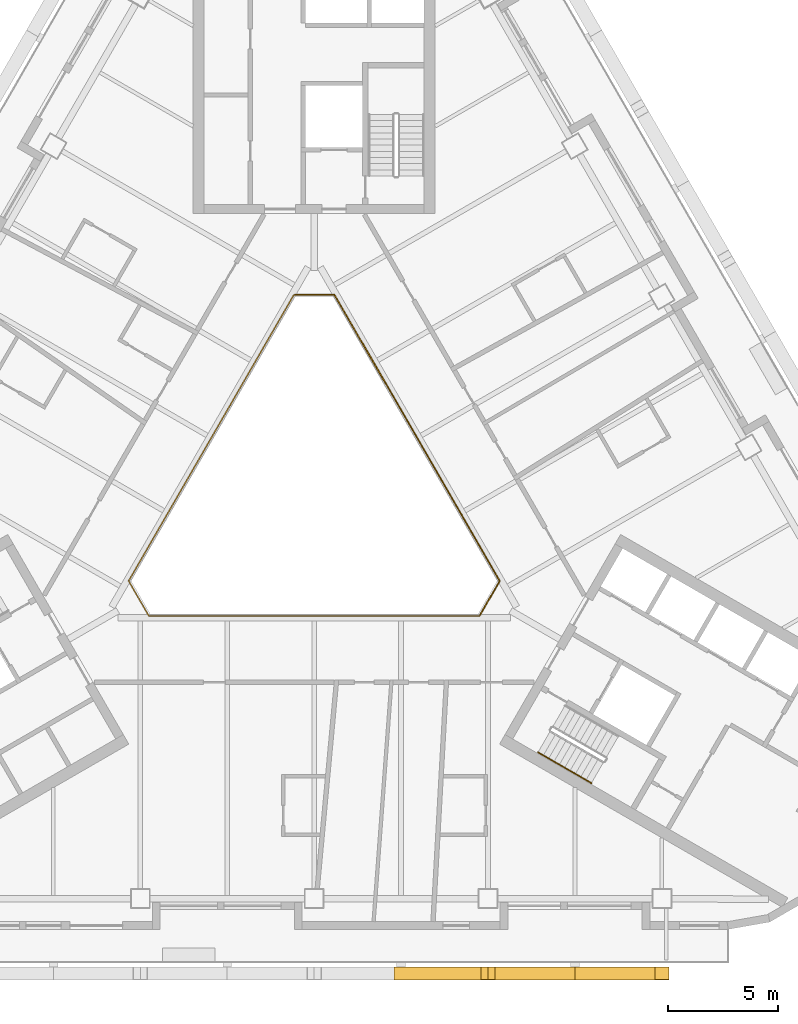
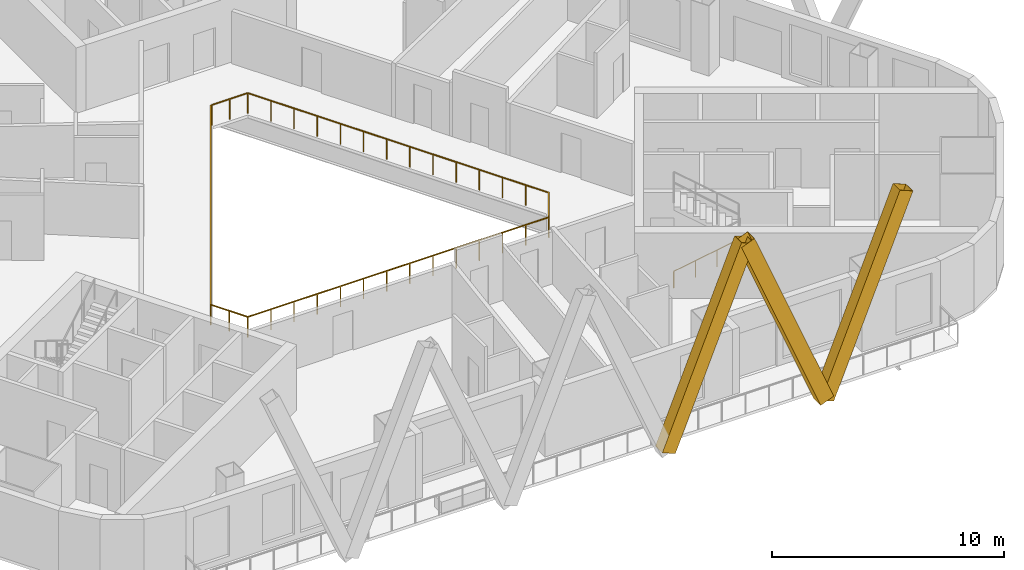
# One storey, part 10 of 13: 3 railings, 3 shading devices.
"""IFC4 building model written with IfcOpenShell, lengths in metres."""

from ifc_helpers import new_model, si_unit, direction, frame, origin, origin_2d, place, context, subcontext, project, spatial, rectangle, hollow_rectangle, circle, extrude, material, material_profile, profile_set, type_object, element, save


model = new_model("IFC4")

# Units and contexts
model_context = context("Model", 3, precision=1e-05, world=origin(), true_north=direction((0.0, 1.0)))
body_context = subcontext(model_context, "Body", "Model", "MODEL_VIEW")
ifc_project = project(units=[si_unit("LENGTHUNIT", "METRE"), si_unit("AREAUNIT", "SQUARE_METRE"), si_unit("VOLUMEUNIT", "CUBIC_METRE"), si_unit("PLANEANGLEUNIT", "RADIAN"), si_unit("MASSUNIT", "GRAM", prefix="KILO")], contexts=[model_context])

# Site, building, storey
site_placement = place(None, origin())
site = spatial("IfcSite", under=ifc_project, at=site_placement, CompositionType="ELEMENT")
building_placement = place(site_placement, origin())
building = spatial("IfcBuilding", under=site, at=building_placement, Name="Apuvela Tower Hotel", CompositionType="ELEMENT")
storey_placement = place(building_placement, frame((0.0, 0.0, 127.89990234375)))
storey = spatial("IfcBuildingStorey", under=building, at=storey_placement, Name="L30", CompositionType="ELEMENT", Elevation=127.89990234375)

# Railing
ifc_material_1 = material(Name="Stainless steel 316 handrail", Category="steel")
railing_type_1 = type_object("IfcRailingType", Name="COR-HANDRAIL-900", PredefinedType="HANDRAIL", material=ifc_material_1)
railing_1_placement = place(storey_placement, frame((10.1689453125, -11.5869140625, 0.168212890625)))
element("IfcRailing", 1, at=railing_1_placement, inside=storey, type_object=railing_type_1, Name="L30 ST3 stair handrail 1", PredefinedType="HANDRAIL", context=body_context, shape_type="SweptSolid", body=[
    extrude(circle(Radius=0.02392578125, at=origin_2d()), frame((0.0, 0.0, 0.8759765625), z_axis=(0.742390482028, -0.42860119049, 0.514934356695), x_axis=(0.49998411664, 0.866034573852, 0.0)), (0.0, 0.0, 1.0), 3.26611328125),
    extrude(rectangle(XDim=0.0419921875, YDim=0.0419921875, at=origin_2d()), origin(), (0.0, 0.0, 1.0), 0.851806640625),
    extrude(rectangle(XDim=0.0419921875, YDim=0.0419921875, at=origin_2d()), frame((0.808349609375, -0.466552734375, 0.560546875)), (0.0, 0.0, 1.0), 0.851806640625),
    extrude(rectangle(XDim=0.0419921875, YDim=0.0419921875, at=origin_2d()), frame((1.616455078125, -0.933349609375, 1.121337890625)), (0.0, 0.0, 1.0), 0.851806640625),
    extrude(rectangle(XDim=0.0419921875, YDim=0.0419921875, at=origin_2d()), frame((2.4248046875, -1.39990234375, 1.681884765625)), (0.0, 0.0, 1.0), 0.851806640625),
])

# Shading devices
ifc_material_2 = material(Name="Aluminium 6063-T6, black anodised", Category="aluminium")
ifc_material_profile = material_profile(ifc_material_2, hollow_rectangle(XDim=0.60009765625, YDim=0.699951171875, WallThickness=0.011962890625, at=origin_2d()), Name="AL BOX 700x600x12")
ifc_profile_set = profile_set([ifc_material_profile], Name="Aluminium 6063-T6, black anodised")
shading_device_type = type_object("IfcShadingDeviceType", Name="ENV-FIN-700x600", PredefinedType="USERDEFINED", material=ifc_profile_set)
for number, where, z_axis, x_axis, name in (
    (2, (3.949951171875, -21.6298828125, -0.099853515625), (0.377142867317, 0.0, 0.926155093725), (0.0, 1.0, 0.0), "Lattice fin S190"),
    (3, (11.85009765625, -21.6298828125, -0.099853515625), (-0.377162862065, 0.0, 0.926146951341), (0.0, -1.0, 0.0), "Lattice fin S191"),
    (4, (11.85009765625, -21.6298828125, -0.099853515625), (0.377142867317, 0.0, 0.926155093725), (0.0, 1.0, 0.0), "Lattice fin S192"),
):
    element("IfcShadingDevice", number, at=place(storey_placement, frame(where, z_axis=z_axis, x_axis=x_axis)), inside=storey, type_object=shading_device_type, Name=name, ObjectType="FIN", PredefinedType="USERDEFINED", context=body_context, shape_type="SweptSolid", body=[
        extrude(hollow_rectangle(XDim=0.60009765625, YDim=0.699951171875, WallThickness=0.011962890625, at=origin_2d()), origin(), (0.0, 0.0, 1.0), 10.473388671875),
    ])

# Railings
ifc_material_3 = material(Name="Stainless steel 316 rail with laminated glass infill", Category="steel")
railing_type_2 = type_object("IfcRailingType", Name="ENV-GUARD-1100", PredefinedType="GUARDRAIL", material=ifc_material_3)
railing_2_placement = place(storey_placement, frame((-0.923828125, 9.199951171875, 0.0)))
element("IfcRailing", 5, at=railing_2_placement, inside=storey, type_object=railing_type_2, Name="Atrium void guard A L30", PredefinedType="GUARDRAIL", context=body_context, shape_type="SweptSolid", body=[
    extrude(rectangle(XDim=0.050048828125, YDim=0.050048828125, at=origin_2d()), frame((0.0, 0.0, 1.0751953125), z_axis=(-0.499990886379, -0.866030665472, 0.0), x_axis=(0.866030665472, -0.499990886379, 0.0)), (0.0, 0.0, 1.0), 15.010986328125),
    extrude(rectangle(XDim=0.050048828125, YDim=0.050048828125, at=origin_2d()), frame((-7.50537109375, -13.0, 1.0751953125), z_axis=(0.499962699187, -0.866046938348, 0.0), x_axis=(0.866046938348, 0.499962699187, 0.0)), (0.0, 0.0, 1.0), 1.847412109375),
    extrude(rectangle(XDim=0.050048828125, YDim=0.050048828125, at=origin_2d()), frame((-6.581787109375, -14.599853515625, 1.0751953125), z_axis=(1.0, 0.0, 0.0), x_axis=(0.0, 1.0, 0.0)), (0.0, 0.0, 1.0), 15.01123046875),
    extrude(rectangle(XDim=0.0400390625, YDim=0.0400390625, at=origin_2d()), origin(), (0.0, 0.0, 1.0), 1.050048828125),
    extrude(rectangle(XDim=0.0400390625, YDim=0.0400390625, at=origin_2d()), frame((-0.577392578125, -1.0, 0.0)), (0.0, 0.0, 1.0), 1.050048828125),
    extrude(rectangle(XDim=0.0400390625, YDim=0.0400390625, at=origin_2d()), frame((-1.15478515625, -2.0, 0.0)), (0.0, 0.0, 1.0), 1.050048828125),
    extrude(rectangle(XDim=0.0400390625, YDim=0.0400390625, at=origin_2d()), frame((-1.73193359375, -3.0, 0.0)), (0.0, 0.0, 1.0), 1.050048828125),
    extrude(rectangle(XDim=0.0400390625, YDim=0.0400390625, at=origin_2d()), frame((-2.309326171875, -4.0, 0.0)), (0.0, 0.0, 1.0), 1.050048828125),
    extrude(rectangle(XDim=0.0400390625, YDim=0.0400390625, at=origin_2d()), frame((-2.88671875, -5.0, 0.0)), (0.0, 0.0, 1.0), 1.050048828125),
    extrude(rectangle(XDim=0.0400390625, YDim=0.0400390625, at=origin_2d()), frame((-3.464111328125, -6.0, 0.0)), (0.0, 0.0, 1.0), 1.050048828125),
    extrude(rectangle(XDim=0.0400390625, YDim=0.0400390625, at=origin_2d()), frame((-4.041259765625, -7.0, 0.0)), (0.0, 0.0, 1.0), 1.050048828125),
    extrude(rectangle(XDim=0.0400390625, YDim=0.0400390625, at=origin_2d()), frame((-4.61865234375, -8.0, 0.0)), (0.0, 0.0, 1.0), 1.050048828125),
    extrude(rectangle(XDim=0.0400390625, YDim=0.0400390625, at=origin_2d()), frame((-5.196044921875, -9.0, 0.0)), (0.0, 0.0, 1.0), 1.050048828125),
    extrude(rectangle(XDim=0.0400390625, YDim=0.0400390625, at=origin_2d()), frame((-5.7734375, -10.0, 0.0)), (0.0, 0.0, 1.0), 1.050048828125),
    extrude(rectangle(XDim=0.0400390625, YDim=0.0400390625, at=origin_2d()), frame((-6.3505859375, -11.0, 0.0)), (0.0, 0.0, 1.0), 1.050048828125),
    extrude(rectangle(XDim=0.0400390625, YDim=0.0400390625, at=origin_2d()), frame((-6.927978515625, -12.0, 0.0)), (0.0, 0.0, 1.0), 1.050048828125),
    extrude(rectangle(XDim=0.0400390625, YDim=0.0400390625, at=origin_2d()), frame((-7.50537109375, -13.0, 0.0)), (0.0, 0.0, 1.0), 1.050048828125),
    extrude(rectangle(XDim=0.0400390625, YDim=0.0400390625, at=origin_2d()), frame((-7.04345703125, -13.7998046875, 0.0)), (0.0, 0.0, 1.0), 1.050048828125),
    extrude(rectangle(XDim=0.0400390625, YDim=0.0400390625, at=origin_2d()), frame((-6.581787109375, -14.599853515625, 0.0)), (0.0, 0.0, 1.0), 1.050048828125),
    extrude(rectangle(XDim=0.0400390625, YDim=0.0400390625, at=origin_2d()), frame((-5.427001953125, -14.599853515625, 0.0)), (0.0, 0.0, 1.0), 1.050048828125),
    extrude(rectangle(XDim=0.0400390625, YDim=0.0400390625, at=origin_2d()), frame((-4.2724609375, -14.599853515625, 0.0)), (0.0, 0.0, 1.0), 1.050048828125),
    extrude(rectangle(XDim=0.0400390625, YDim=0.0400390625, at=origin_2d()), frame((-3.11767578125, -14.599853515625, 0.0)), (0.0, 0.0, 1.0), 1.050048828125),
    extrude(rectangle(XDim=0.0400390625, YDim=0.0400390625, at=origin_2d()), frame((-1.962890625, -14.599853515625, 0.0)), (0.0, 0.0, 1.0), 1.050048828125),
    extrude(rectangle(XDim=0.0400390625, YDim=0.0400390625, at=origin_2d()), frame((-0.808349609375, -14.599853515625, 0.0)), (0.0, 0.0, 1.0), 1.050048828125),
    extrude(rectangle(XDim=0.0400390625, YDim=0.0400390625, at=origin_2d()), frame((0.346435546875, -14.599853515625, 0.0)), (0.0, 0.0, 1.0), 1.050048828125),
    extrude(rectangle(XDim=0.0400390625, YDim=0.0400390625, at=origin_2d()), frame((1.501220703125, -14.599853515625, 0.0)), (0.0, 0.0, 1.0), 1.050048828125),
    extrude(rectangle(XDim=0.0400390625, YDim=0.0400390625, at=origin_2d()), frame((2.656005859375, -14.599853515625, 0.0)), (0.0, 0.0, 1.0), 1.050048828125),
    extrude(rectangle(XDim=0.0400390625, YDim=0.0400390625, at=origin_2d()), frame((3.810546875, -14.599853515625, 0.0)), (0.0, 0.0, 1.0), 1.050048828125),
    extrude(rectangle(XDim=0.0400390625, YDim=0.0400390625, at=origin_2d()), frame((4.96533203125, -14.599853515625, 0.0)), (0.0, 0.0, 1.0), 1.050048828125),
    extrude(rectangle(XDim=0.0400390625, YDim=0.0400390625, at=origin_2d()), frame((6.1201171875, -14.599853515625, 0.0)), (0.0, 0.0, 1.0), 1.050048828125),
    extrude(rectangle(XDim=0.0400390625, YDim=0.0400390625, at=origin_2d()), frame((7.274658203125, -14.599853515625, 0.0)), (0.0, 0.0, 1.0), 1.050048828125),
    extrude(rectangle(XDim=0.0400390625, YDim=0.0400390625, at=origin_2d()), frame((8.429443359375, -14.599853515625, 0.0)), (0.0, 0.0, 1.0), 1.050048828125),
])
railing_3_placement = place(storey_placement, frame((7.53564453125, -5.347900390625, 0.0)))
element("IfcRailing", 6, at=railing_3_placement, inside=storey, type_object=railing_type_2, Name="Atrium void guard B L30", PredefinedType="GUARDRAIL", context=body_context, shape_type="SweptSolid", body=[
    extrude(rectangle(XDim=0.050048828125, YDim=0.050048828125, at=origin_2d()), frame((0.0, 0.0, 1.0751953125), z_axis=(0.499958946799, 0.866049104564, 0.0), x_axis=(-0.866049104564, 0.499958946799, 0.0)), (0.0, 0.0, 1.0), 1.787353515625),
    extrude(rectangle(XDim=0.050048828125, YDim=0.050048828125, at=origin_2d()), frame((0.8935546875, 1.5478515625, 1.0751953125), z_axis=(-0.499990886379, 0.866030665472, 0.0), x_axis=(-0.866030665472, -0.499990886379, 0.0)), (0.0, 0.0, 1.0), 15.010986328125),
    extrude(rectangle(XDim=0.050048828125, YDim=0.050048828125, at=origin_2d()), frame((-6.61181640625, 14.5478515625, 1.0751953125), z_axis=(-1.0, 0.0, 0.0), x_axis=(0.0, -1.0, 0.0)), (0.0, 0.0, 1.0), 1.78759765625),
    extrude(rectangle(XDim=0.0400390625, YDim=0.0400390625, at=origin_2d()), origin(), (0.0, 0.0, 1.0), 1.050048828125),
    extrude(rectangle(XDim=0.0400390625, YDim=0.0400390625, at=origin_2d()), frame((0.44677734375, 0.77392578125, 0.0)), (0.0, 0.0, 1.0), 1.050048828125),
    extrude(rectangle(XDim=0.0400390625, YDim=0.0400390625, at=origin_2d()), frame((0.8935546875, 1.5478515625, 0.0)), (0.0, 0.0, 1.0), 1.050048828125),
    extrude(rectangle(XDim=0.0400390625, YDim=0.0400390625, at=origin_2d()), frame((0.316162109375, 2.5478515625, 0.0)), (0.0, 0.0, 1.0), 1.050048828125),
    extrude(rectangle(XDim=0.0400390625, YDim=0.0400390625, at=origin_2d()), frame((-0.26123046875, 3.5478515625, 0.0)), (0.0, 0.0, 1.0), 1.050048828125),
    extrude(rectangle(XDim=0.0400390625, YDim=0.0400390625, at=origin_2d()), frame((-0.83837890625, 4.5478515625, 0.0)), (0.0, 0.0, 1.0), 1.050048828125),
    extrude(rectangle(XDim=0.0400390625, YDim=0.0400390625, at=origin_2d()), frame((-1.415771484375, 5.5478515625, 0.0)), (0.0, 0.0, 1.0), 1.050048828125),
    extrude(rectangle(XDim=0.0400390625, YDim=0.0400390625, at=origin_2d()), frame((-1.9931640625, 6.5478515625, 0.0)), (0.0, 0.0, 1.0), 1.050048828125),
    extrude(rectangle(XDim=0.0400390625, YDim=0.0400390625, at=origin_2d()), frame((-2.570556640625, 7.5478515625, 0.0)), (0.0, 0.0, 1.0), 1.050048828125),
    extrude(rectangle(XDim=0.0400390625, YDim=0.0400390625, at=origin_2d()), frame((-3.147705078125, 8.5478515625, 0.0)), (0.0, 0.0, 1.0), 1.050048828125),
    extrude(rectangle(XDim=0.0400390625, YDim=0.0400390625, at=origin_2d()), frame((-3.72509765625, 9.5478515625, 0.0)), (0.0, 0.0, 1.0), 1.050048828125),
    extrude(rectangle(XDim=0.0400390625, YDim=0.0400390625, at=origin_2d()), frame((-4.302490234375, 10.5478515625, 0.0)), (0.0, 0.0, 1.0), 1.050048828125),
    extrude(rectangle(XDim=0.0400390625, YDim=0.0400390625, at=origin_2d()), frame((-4.8798828125, 11.5478515625, 0.0)), (0.0, 0.0, 1.0), 1.050048828125),
    extrude(rectangle(XDim=0.0400390625, YDim=0.0400390625, at=origin_2d()), frame((-5.45703125, 12.5478515625, 0.0)), (0.0, 0.0, 1.0), 1.050048828125),
    extrude(rectangle(XDim=0.0400390625, YDim=0.0400390625, at=origin_2d()), frame((-6.034423828125, 13.5478515625, 0.0)), (0.0, 0.0, 1.0), 1.050048828125),
    extrude(rectangle(XDim=0.0400390625, YDim=0.0400390625, at=origin_2d()), frame((-6.61181640625, 14.5478515625, 0.0)), (0.0, 0.0, 1.0), 1.050048828125),
    extrude(rectangle(XDim=0.0400390625, YDim=0.0400390625, at=origin_2d()), frame((-7.505615234375, 14.5478515625, 0.0)), (0.0, 0.0, 1.0), 1.050048828125),
    extrude(rectangle(XDim=0.0400390625, YDim=0.0400390625, at=origin_2d()), frame((-8.3994140625, 14.5478515625, 0.0)), (0.0, 0.0, 1.0), 1.050048828125),
])

save(model, "model.ifc")
